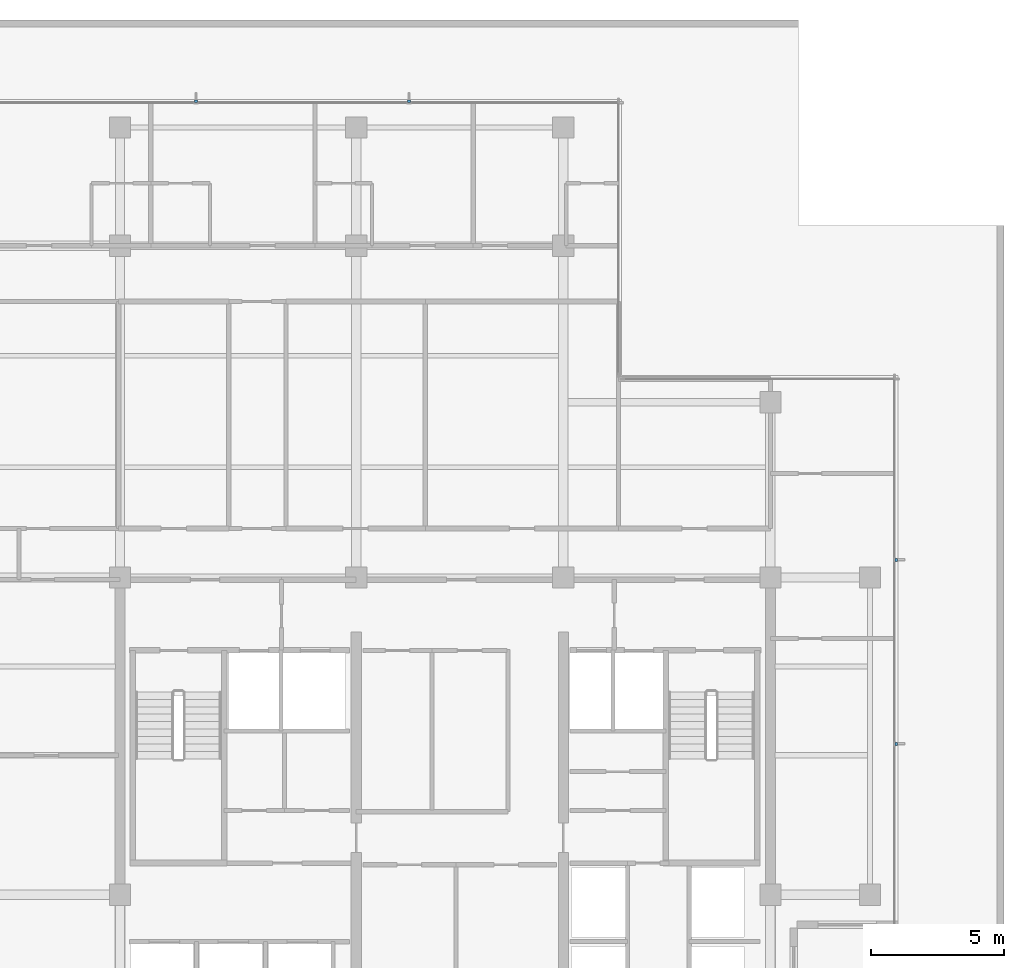
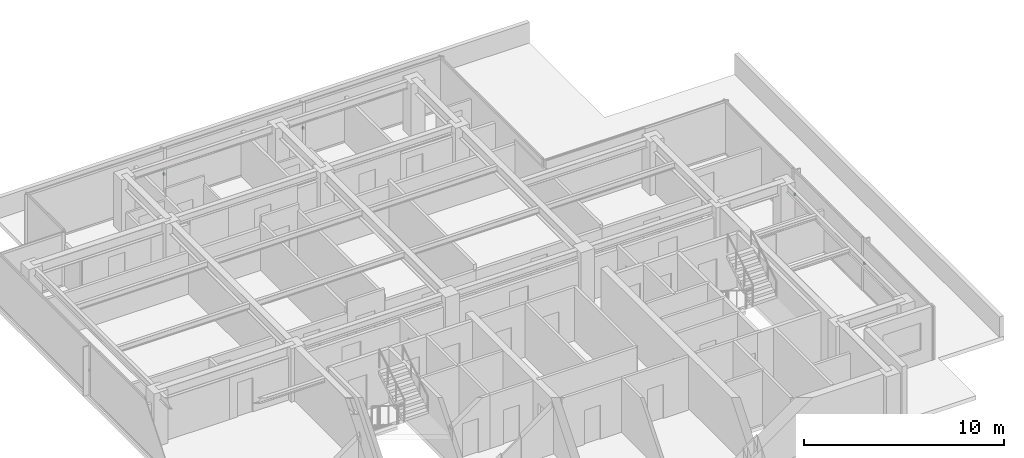
# One storey, part 10 of 11: 4 discrete accessories.
"""IFC4 building model written with IfcOpenShell, lengths in metres."""

from ifc_helpers import new_model, si_unit, direction, frame, origin, place, context, subcontext, project, spatial, polyline, outline, extrude, material, type_object, element, save


model = new_model("IFC4")

# Units and contexts
model_context = context("Model", 3, precision=1e-05, world=origin(), true_north=direction((0.0, 1.0)))
body_context = subcontext(model_context, "Body", "Model", "MODEL_VIEW")
ifc_project = project(units=[si_unit("LENGTHUNIT", "METRE"), si_unit("AREAUNIT", "SQUARE_METRE"), si_unit("VOLUMEUNIT", "CUBIC_METRE"), si_unit("PLANEANGLEUNIT", "RADIAN"), si_unit("MASSUNIT", "GRAM", prefix="KILO")], contexts=[model_context])

# Site, building, storey
site_placement = place(None, origin())
site = spatial("IfcSite", under=ifc_project, at=site_placement, CompositionType="ELEMENT")
building_placement = place(site_placement, origin())
building = spatial("IfcBuilding", under=site, at=building_placement, Name="Qalmaran Belvedere Hotel", CompositionType="ELEMENT")
storey_placement = place(building_placement, frame((0.0, 0.0, 238.89990234375)))
storey = spatial("IfcBuildingStorey", under=building, at=storey_placement, Name="L61", CompositionType="ELEMENT", Elevation=238.89990234375)

# Discrete accessories
ifc_material = material(Name="Stainless Steel 1.4401", Category="steel")
discrete_accessory_type = type_object("IfcDiscreteAccessoryType", Name="BRK-FIN-SS316", PredefinedType="BRACKET", material=ifc_material)
discrete_accessory_1_placement = place(storey_placement, frame((0.0, 0.0, 1.580078125)))
element("IfcDiscreteAccessory", 1, at=discrete_accessory_1_placement, inside=storey, type_object=discrete_accessory_type, Name="L61 Fin Bracket 1", PredefinedType="BRACKET", context=body_context, shape_type="SweptSolid", body=[
    extrude(outline(polyline([(49.4951171875, 14.17822265625), (49.58740234375, 14.17822265625), (49.58740234375, 14.288330078125), (49.4951171875, 14.288330078125), (49.4951171875, 14.17822265625)])), origin(), (0.0, 0.0, 1.0), 0.14013671875),
])
discrete_accessory_2_placement = place(storey_placement, frame((0.0, 0.0, 1.580078125)))
element("IfcDiscreteAccessory", 2, at=discrete_accessory_2_placement, inside=storey, type_object=discrete_accessory_type, Name="L61 Fin Bracket 2", PredefinedType="BRACKET", context=body_context, shape_type="SweptSolid", body=[
    extrude(outline(polyline([(49.4951171875, 21.11181640625), (49.58740234375, 21.11181640625), (49.58740234375, 21.2216796875), (49.4951171875, 21.2216796875), (49.4951171875, 21.11181640625)])), origin(), (0.0, 0.0, 1.0), 0.14013671875),
])
discrete_accessory_3_placement = place(storey_placement, frame((0.0, 0.0, 1.580078125)))
element("IfcDiscreteAccessory", 3, at=discrete_accessory_3_placement, inside=storey, type_object=discrete_accessory_type, Name="L61 Fin Bracket 1", PredefinedType="BRACKET", context=body_context, shape_type="SweptSolid", body=[
    extrude(outline(polyline([(31.23828125, 38.39501953125), (31.23828125, 38.487548828125), (31.12841796875, 38.487548828125), (31.12841796875, 38.39501953125), (31.23828125, 38.39501953125)])), origin(), (0.0, 0.0, 1.0), 0.14013671875),
])
discrete_accessory_4_placement = place(storey_placement, frame((0.0, 0.0, 1.580078125)))
element("IfcDiscreteAccessory", 4, at=discrete_accessory_4_placement, inside=storey, type_object=discrete_accessory_type, Name="L61 Fin Bracket 2", PredefinedType="BRACKET", context=body_context, shape_type="SweptSolid", body=[
    extrude(outline(polyline([(23.2216796875, 38.39501953125), (23.2216796875, 38.487548828125), (23.11181640625, 38.487548828125), (23.11181640625, 38.39501953125), (23.2216796875, 38.39501953125)])), origin(), (0.0, 0.0, 1.0), 0.14013671875),
])

save(model, "model.ifc")
